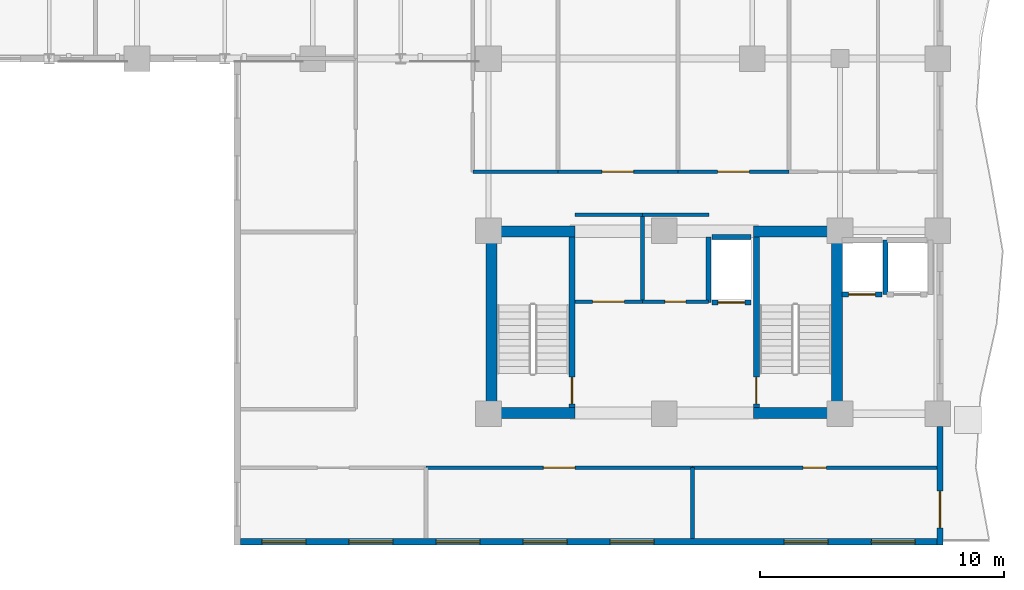
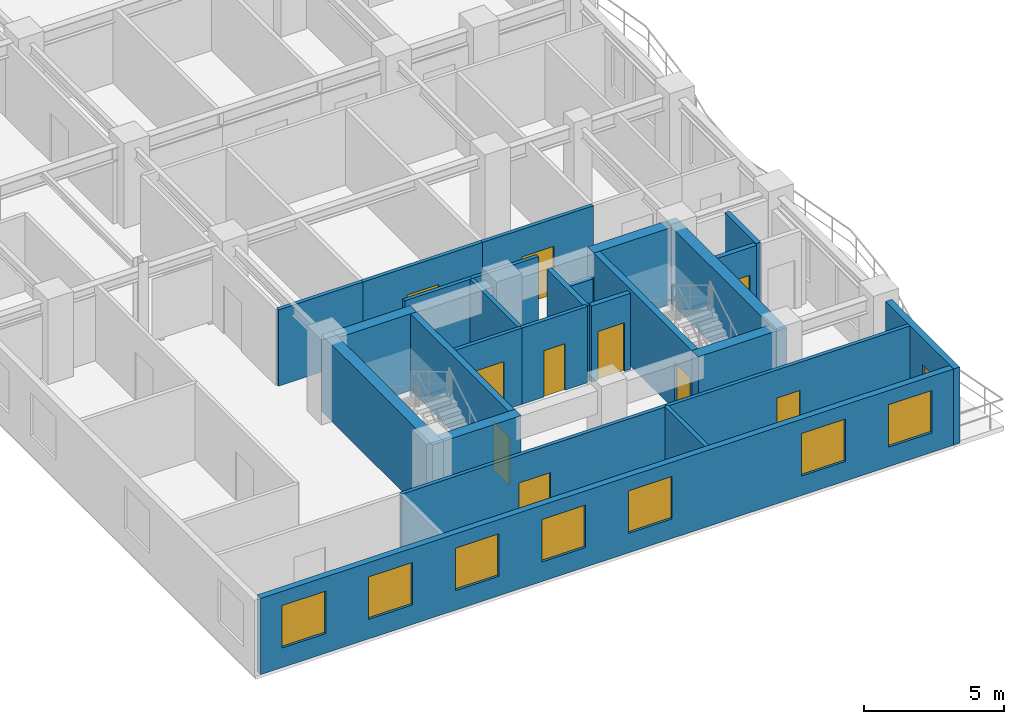
# One storey, part 6 of 13: 26 walls, 11 doors, 7 windows, 18 openings.
"""IFC4 building model written with IfcOpenShell, lengths in metres."""

from ifc_helpers import new_model, si_unit, direction, frame, frame_2d, origin, place, context, subcontext, project, spatial, rectangle, extrude, material, layer, layer_set, type_object, element, fill, save


model = new_model("IFC4")

# Units and contexts
model_context = context("Model", 3, precision=1e-05, world=origin(), true_north=direction((0.0, 1.0)))
body_context = subcontext(model_context, "Body", "Model", "MODEL_VIEW")
ifc_project = project(units=[si_unit("LENGTHUNIT", "METRE"), si_unit("AREAUNIT", "SQUARE_METRE"), si_unit("VOLUMEUNIT", "CUBIC_METRE"), si_unit("PLANEANGLEUNIT", "RADIAN"), si_unit("MASSUNIT", "GRAM", prefix="KILO")], contexts=[model_context])

# Site, building, storey
site_placement = place(None, origin())
site = spatial("IfcSite", under=ifc_project, at=site_placement, CompositionType="ELEMENT")
building_placement = place(site_placement, origin())
building = spatial("IfcBuilding", under=site, at=building_placement, Name="Kaliganga Portal Commons", CompositionType="ELEMENT")
storey_placement = place(building_placement, frame((0.0, 0.0, 188.300048828125)))
storey = spatial("IfcBuildingStorey", under=building, at=storey_placement, Name="L48", CompositionType="ELEMENT", Elevation=188.300048828125)

# Walls
ifc_material_1 = material(Name="Concrete C60/75", Category="concrete")
ifc_layer_1 = layer(ifc_material_1, 0.449951171875)
ifc_layer_set_1 = layer_set([ifc_layer_1], Name="Concrete C60/75")
wall_type_1 = type_object("IfcWallType", Name="WL-CORE-450", PredefinedType="SHEAR", material=ifc_layer_set_1)
for number, where, z_axis, x_axis, name in (
    (1, (36.125, 6.85009765625, 0.0), (0.0, 0.0, 1.0), (0.0, 1.0, 0.0), "Core B West Shear Wall L48"),
    (2, (50.27490234375, 6.85009765625, 0.0), (0.0, 0.0, 1.0), (0.0, 1.0, 0.0), "Core B East Shear Wall L48"),
):
    element("IfcWall", number, at=place(storey_placement, frame(where, z_axis=z_axis, x_axis=x_axis)), inside=storey, type_object=wall_type_1, Name=name, PredefinedType="SHEAR", context=body_context, shape_type="SweptSolid", body=[
        extrude(rectangle(XDim=7.89990234375, YDim=0.449951171875, at=frame_2d((3.949951171875, 0.0))), origin(), (0.0, 0.0, 1.0), 3.33984375),
    ])
for number, where, z_axis, x_axis, name in (
    (3, (36.35009765625, 7.074951171875, 0.0), (0.0, 0.0, 1.0), (1.0, 0.0, 0.0), "Core B S-West Shear Wall L48"),
    (4, (46.85009765625, 7.074951171875, 0.0), (0.0, 0.0, 1.0), (1.0, 0.0, 0.0), "Core B S-East Shear Wall L48"),
    (5, (36.35009765625, 14.52490234375, 0.0), (0.0, 0.0, 1.0), (1.0, 0.0, 0.0), "Core B N-West Shear Wall L48"),
    (6, (46.85009765625, 14.52490234375, 0.0), (0.0, 0.0, 1.0), (1.0, 0.0, 0.0), "Core B N-East Shear Wall L48"),
):
    element("IfcWall", number, at=place(storey_placement, frame(where, z_axis=z_axis, x_axis=x_axis)), inside=storey, type_object=wall_type_1, Name=name, PredefinedType="SHEAR", context=body_context, shape_type="SweptSolid", body=[
        extrude(rectangle(XDim=3.199951171875, YDim=0.449951171875, at=frame_2d((1.60009765625, 0.0))), origin(), (0.0, 0.0, 1.0), 3.33984375),
    ])

# Wall, openings, windows
ifc_material_2 = material(Name="Insulated Aluminium-Clad Spandrel Assembly", Category="aluminium")
ifc_layer_2 = layer(ifc_material_2, 0.260009765625)
ifc_layer_set_2 = layer_set([ifc_layer_2], Name="Insulated Aluminium-Clad Spandrel Assembly")
wall_type_2 = type_object("IfcWallType", Name="WL-EXT-SPAND-260", PredefinedType="STANDARD", material=ifc_layer_set_2)
wall_1_placement = place(storey_placement, frame((54.364990234375, 1.800048828125, 0.0), z_axis=(0.0, 0.0, 1.0), x_axis=(-1.0, 0.0, 0.0)))
wall_1 = element("IfcWall", 7, at=wall_1_placement, inside=storey, type_object=wall_type_2, Name="Exterior Envelope Wall L48 P1-E00-S1", PredefinedType="STANDARD", context=body_context, shape_type="SweptSolid", body=[
    extrude(rectangle(XDim=28.530029296875, YDim=0.260009765625, at=frame_2d((14.26513671875, 0.0))), origin(), (0.0, 0.0, 1.0), 3.320068359375),
])
opening_1_placement = place(wall_1_placement, frame((0.883056640625, 0.0, 0.85009765625)))
opening_1 = element("IfcOpeningElement", 8, at=opening_1_placement, cuts=wall_1, Name="Opening W-01", PredefinedType="OPENING", context=body_context, shape_type="SweptSolid", body=[
    extrude(rectangle(XDim=1.800048828125, YDim=1.85009765625, at=frame_2d((0.89990234375, 0.925048828125))), frame((0.0, 0.14013671875, 0.0), z_axis=(0.0, -1.0, 0.0), x_axis=(1.0, 0.0, 0.0)), (0.0, 0.0, 1.0), 0.280029296875),
])
opening_2_placement = place(wall_1_placement, frame((4.449462890625, 0.0, 0.85009765625)))
opening_2 = element("IfcOpeningElement", 9, at=opening_2_placement, cuts=wall_1, Name="Opening W-01", PredefinedType="OPENING", context=body_context, shape_type="SweptSolid", body=[
    extrude(rectangle(XDim=1.800048828125, YDim=1.85009765625, at=frame_2d((0.89990234375, 0.925048828125))), frame((0.0, 0.14013671875, 0.0), z_axis=(0.0, -1.0, 0.0), x_axis=(1.0, 0.0, 0.0)), (0.0, 0.0, 1.0), 0.280029296875),
])
opening_3_placement = place(wall_1_placement, frame((11.581787109375, 0.0, 0.85009765625)))
opening_3 = element("IfcOpeningElement", 10, at=opening_3_placement, cuts=wall_1, Name="Opening W-01", PredefinedType="OPENING", context=body_context, shape_type="SweptSolid", body=[
    extrude(rectangle(XDim=1.800048828125, YDim=1.85009765625, at=frame_2d((0.89990234375, 0.925048828125))), frame((0.0, 0.14013671875, 0.0), z_axis=(0.0, -1.0, 0.0), x_axis=(1.0, 0.0, 0.0)), (0.0, 0.0, 1.0), 0.280029296875),
])
opening_4_placement = place(wall_1_placement, frame((15.148193359375, 0.0, 0.85009765625)))
opening_4 = element("IfcOpeningElement", 11, at=opening_4_placement, cuts=wall_1, Name="Opening W-01", PredefinedType="OPENING", context=body_context, shape_type="SweptSolid", body=[
    extrude(rectangle(XDim=1.800048828125, YDim=1.85009765625, at=frame_2d((0.89990234375, 0.925048828125))), frame((0.0, 0.14013671875, 0.0), z_axis=(0.0, -1.0, 0.0), x_axis=(1.0, 0.0, 0.0)), (0.0, 0.0, 1.0), 0.280029296875),
])
opening_5_placement = place(wall_1_placement, frame((18.71435546875, 0.0, 0.85009765625)))
opening_5 = element("IfcOpeningElement", 12, at=opening_5_placement, cuts=wall_1, Name="Opening W-01", PredefinedType="OPENING", context=body_context, shape_type="SweptSolid", body=[
    extrude(rectangle(XDim=1.800048828125, YDim=1.85009765625, at=frame_2d((0.89990234375, 0.925048828125))), frame((0.0, 0.14013671875, 0.0), z_axis=(0.0, -1.0, 0.0), x_axis=(1.0, 0.0, 0.0)), (0.0, 0.0, 1.0), 0.280029296875),
])
opening_6_placement = place(wall_1_placement, frame((22.280517578125, 0.0, 0.85009765625)))
opening_6 = element("IfcOpeningElement", 13, at=opening_6_placement, cuts=wall_1, Name="Opening W-01", PredefinedType="OPENING", context=body_context, shape_type="SweptSolid", body=[
    extrude(rectangle(XDim=1.800048828125, YDim=1.85009765625, at=frame_2d((0.89990234375, 0.925048828125))), frame((0.0, 0.14013671875, 0.0), z_axis=(0.0, -1.0, 0.0), x_axis=(1.0, 0.0, 0.0)), (0.0, 0.0, 1.0), 0.280029296875),
])
opening_7_placement = place(wall_1_placement, frame((25.846923828125, 0.0, 0.85009765625)))
opening_7 = element("IfcOpeningElement", 14, at=opening_7_placement, cuts=wall_1, Name="Opening W-01", PredefinedType="OPENING", context=body_context, shape_type="SweptSolid", body=[
    extrude(rectangle(XDim=1.800048828125, YDim=1.85009765625, at=frame_2d((0.89990234375, 0.925048828125))), frame((0.0, 0.14013671875, 0.0), z_axis=(0.0, -1.0, 0.0), x_axis=(1.0, 0.0, 0.0)), (0.0, 0.0, 1.0), 0.280029296875),
])
ifc_material_3 = material(Name="Thermally Broken Aluminium and Low-E Double Glazing", Category="aluminium")
window_type = type_object("IfcWindowType", Name="WIN-STD-1800", PartitioningType="DOUBLE_PANEL_VERTICAL", PredefinedType="WINDOW", material=ifc_material_3)
window_1_placement = place(opening_1_placement, origin())
window_1 = element("IfcWindow", 15, at=window_1_placement, inside=storey, type_object=window_type, Name="Facade Window L48-P1E00S1-00", OverallHeight=1.85009765625, OverallWidth=1.800048828125, PartitioningType="SINGLE_PANEL", PredefinedType="WINDOW", context=body_context, shape_type="SweptSolid", body=[
    extrude(rectangle(XDim=1.800048828125, YDim=1.85009765625, at=frame_2d((0.89990234375, 0.925048828125))), frame((0.0, 0.030029296875, 0.0), z_axis=(0.0, -1.0, 0.0), x_axis=(1.0, 0.0, 0.0)), (0.0, 0.0, 1.0), 0.06005859375),
])
fill(opening_1, window_1)
window_2_placement = place(opening_2_placement, origin())
window_2 = element("IfcWindow", 16, at=window_2_placement, inside=storey, type_object=window_type, Name="Facade Window L48-P1E00S1-01", OverallHeight=1.85009765625, OverallWidth=1.800048828125, PartitioningType="SINGLE_PANEL", PredefinedType="WINDOW", context=body_context, shape_type="SweptSolid", body=[
    extrude(rectangle(XDim=1.800048828125, YDim=1.85009765625, at=frame_2d((0.89990234375, 0.925048828125))), frame((0.0, 0.030029296875, 0.0), z_axis=(0.0, -1.0, 0.0), x_axis=(1.0, 0.0, 0.0)), (0.0, 0.0, 1.0), 0.06005859375),
])
fill(opening_2, window_2)
window_3_placement = place(opening_3_placement, origin())
window_3 = element("IfcWindow", 17, at=window_3_placement, inside=storey, type_object=window_type, Name="Facade Window L48-P1E00S1-03", OverallHeight=1.85009765625, OverallWidth=1.800048828125, PartitioningType="SINGLE_PANEL", PredefinedType="WINDOW", context=body_context, shape_type="SweptSolid", body=[
    extrude(rectangle(XDim=1.800048828125, YDim=1.85009765625, at=frame_2d((0.89990234375, 0.925048828125))), frame((0.0, 0.030029296875, 0.0), z_axis=(0.0, -1.0, 0.0), x_axis=(1.0, 0.0, 0.0)), (0.0, 0.0, 1.0), 0.06005859375),
])
fill(opening_3, window_3)
window_4_placement = place(opening_4_placement, origin())
window_4 = element("IfcWindow", 18, at=window_4_placement, inside=storey, type_object=window_type, Name="Facade Window L48-P1E00S1-04", OverallHeight=1.85009765625, OverallWidth=1.800048828125, PartitioningType="SINGLE_PANEL", PredefinedType="WINDOW", context=body_context, shape_type="SweptSolid", body=[
    extrude(rectangle(XDim=1.800048828125, YDim=1.85009765625, at=frame_2d((0.89990234375, 0.925048828125))), frame((0.0, 0.030029296875, 0.0), z_axis=(0.0, -1.0, 0.0), x_axis=(1.0, 0.0, 0.0)), (0.0, 0.0, 1.0), 0.06005859375),
])
fill(opening_4, window_4)
window_5_placement = place(opening_5_placement, origin())
window_5 = element("IfcWindow", 19, at=window_5_placement, inside=storey, type_object=window_type, Name="Facade Window L48-P1E00S1-05", OverallHeight=1.85009765625, OverallWidth=1.800048828125, PartitioningType="SINGLE_PANEL", PredefinedType="WINDOW", context=body_context, shape_type="SweptSolid", body=[
    extrude(rectangle(XDim=1.800048828125, YDim=1.85009765625, at=frame_2d((0.89990234375, 0.925048828125))), frame((0.0, 0.030029296875, 0.0), z_axis=(0.0, -1.0, 0.0), x_axis=(1.0, 0.0, 0.0)), (0.0, 0.0, 1.0), 0.06005859375),
])
fill(opening_5, window_5)
window_6_placement = place(opening_6_placement, origin())
window_6 = element("IfcWindow", 20, at=window_6_placement, inside=storey, type_object=window_type, Name="Facade Window L48-P1E00S1-06", OverallHeight=1.85009765625, OverallWidth=1.800048828125, PartitioningType="SINGLE_PANEL", PredefinedType="WINDOW", context=body_context, shape_type="SweptSolid", body=[
    extrude(rectangle(XDim=1.800048828125, YDim=1.85009765625, at=frame_2d((0.89990234375, 0.925048828125))), frame((0.0, 0.030029296875, 0.0), z_axis=(0.0, -1.0, 0.0), x_axis=(1.0, 0.0, 0.0)), (0.0, 0.0, 1.0), 0.06005859375),
])
fill(opening_6, window_6)
window_7_placement = place(opening_7_placement, origin())
window_7 = element("IfcWindow", 21, at=window_7_placement, inside=storey, type_object=window_type, Name="Facade Window L48-P1E00S1-07", OverallHeight=1.85009765625, OverallWidth=1.800048828125, PartitioningType="SINGLE_PANEL", PredefinedType="WINDOW", context=body_context, shape_type="SweptSolid", body=[
    extrude(rectangle(XDim=1.800048828125, YDim=1.85009765625, at=frame_2d((0.89990234375, 0.925048828125))), frame((0.0, 0.030029296875, 0.0), z_axis=(0.0, -1.0, 0.0), x_axis=(1.0, 0.0, 0.0)), (0.0, 0.0, 1.0), 0.06005859375),
])
fill(opening_7, window_7)

# Wall, opening, door
wall_2_placement = place(storey_placement, frame((54.5, 6.52392578125, 0.0), z_axis=(0.0, 0.0, 1.0), x_axis=(0.0, -1.0, 0.0)))
wall_2 = element("IfcWall", 22, at=wall_2_placement, inside=storey, type_object=wall_type_2, Name="Exterior Envelope Wall L48 P1-E01-S1", PredefinedType="STANDARD", context=body_context, shape_type="SweptSolid", body=[
    extrude(rectangle(XDim=4.85400390625, YDim=0.260009765625, at=frame_2d((2.427001953125, 0.0))), origin(), (0.0, 0.0, 1.0), 3.320068359375),
])
opening_8_placement = place(wall_2_placement, frame((2.64794921875, 0.0, 0.0)))
opening_8 = element("IfcOpeningElement", 23, at=opening_8_placement, cuts=wall_2, Name="Opening BD-01", PredefinedType="OPENING", context=body_context, shape_type="SweptSolid", body=[
    extrude(rectangle(XDim=1.5, YDim=2.14990234375, at=frame_2d((0.75, 1.074951171875))), frame((0.0, 0.14013671875, 0.0), z_axis=(0.0, -1.0, 0.0), x_axis=(1.0, 0.0, 0.0)), (0.0, 0.0, 1.0), 0.280029296875),
])
ifc_material_4 = material(Name="Anodized Aluminium and Laminated Safety Glass", Category="aluminium")
door_type_1 = type_object("IfcDoorType", Name="DR-BALC-1500", OperationType="SLIDING_TO_LEFT", PredefinedType="DOOR", material=ifc_material_4)
door_1_placement = place(opening_8_placement, origin())
door_1 = element("IfcDoor", 24, at=door_1_placement, inside=storey, type_object=door_type_1, Name="Balcony Sliding Door L48 balc_east", OperationType="SLIDING_TO_LEFT", OverallHeight=2.14990234375, OverallWidth=1.5, PredefinedType="DOOR", context=body_context, shape_type="SweptSolid", body=[
    extrude(rectangle(XDim=1.5, YDim=2.14990234375, at=frame_2d((0.75, 1.074951171875))), frame((0.0, 0.02490234375, 0.0), z_axis=(0.0, -1.0, 0.0), x_axis=(1.0, 0.0, 0.0)), (0.0, 0.0, 1.0), 0.050048828125),
])
fill(opening_8, door_1)

ifc_material_5 = material(Name="Fire-Rated Gypsum Board on Steel Stud", Category="steel")
ifc_layer_3 = layer(ifc_material_5, 0.14990234375)
ifc_layer_set_3 = layer_set([ifc_layer_3], Name="Fire-Rated Gypsum Board on Steel Stud")
wall_type_3 = type_object("IfcWallType", Name="WL-PART-CORR-150", PredefinedType="PARTITIONING", material=ifc_layer_set_3)
wall_3_placement = place(storey_placement, frame((33.43994140625, 4.840087890625, 0.0), z_axis=(0.0, 0.0, 1.0), x_axis=(1.0, 0.0, 0.0)))
wall_3 = element("IfcWall", 25, at=wall_3_placement, inside=storey, type_object=wall_type_3, Name="Interior Partition L48-009", PredefinedType="PARTITIONING", context=body_context, shape_type="SweptSolid", body=[
    extrude(rectangle(XDim=10.920166015625, YDim=0.14990234375, at=frame_2d((5.4599609375, 0.0))), origin(), (0.0, 0.0, 1.0), 3.320068359375),
])
opening_9_placement = place(wall_3_placement, frame((4.81005859375, 0.0, 0.0)))
opening_9 = element("IfcOpeningElement", 26, at=opening_9_placement, cuts=wall_3, Name="Opening RD-03", PredefinedType="OPENING", context=body_context, shape_type="SweptSolid", body=[
    extrude(rectangle(XDim=1.300048828125, YDim=2.1201171875, at=frame_2d((0.64990234375, 1.06005859375))), frame((0.0, 0.0849609375, 0.0), z_axis=(0.0, -1.0, 0.0), x_axis=(1.0, 0.0, 0.0)), (0.0, 0.0, 1.0), 0.169921875),
])
ifc_material_6 = material(Name="Glazed Timber Seminar Vision Door", Category="wood")
door_type_2 = type_object("IfcDoorType", Name="DR-STUDY-1300", OperationType="DOUBLE_DOOR_SINGLE_SWING", PredefinedType="DOOR", material=ifc_material_6)
door_2_placement = place(opening_9_placement, origin())
door_2 = element("IfcDoor", 27, at=door_2_placement, inside=storey, type_object=door_type_2, Name="Interior Door L48-BS02", OperationType="DOUBLE_DOOR_SINGLE_SWING", OverallHeight=2.1201171875, OverallWidth=1.300048828125, PredefinedType="DOOR", context=body_context, shape_type="SweptSolid", body=[
    extrude(rectangle(XDim=1.300048828125, YDim=2.1201171875, at=frame_2d((0.64990234375, 1.06005859375))), frame((0.0, 0.02490234375, 0.0), z_axis=(0.0, -1.0, 0.0), x_axis=(1.0, 0.0, 0.0)), (0.0, 0.0, 1.0), 0.050048828125),
])
fill(opening_9, door_2)

wall_4_placement = place(storey_placement, frame((44.360107421875, 4.840087890625, 0.0), z_axis=(0.0, 0.0, 1.0), x_axis=(1.0, 0.0, 0.0)))
wall_4 = element("IfcWall", 28, at=wall_4_placement, inside=storey, type_object=wall_type_3, Name="Interior Partition L48-011", PredefinedType="PARTITIONING", context=body_context, shape_type="SweptSolid", body=[
    extrude(rectangle(XDim=10.0078125, YDim=0.14990234375, at=frame_2d((5.00390625, 0.0))), origin(), (0.0, 0.0, 1.0), 3.320068359375),
])
opening_10_placement = place(wall_4_placement, frame((4.529052734375, 0.0, 0.0)))
opening_10 = element("IfcOpeningElement", 29, at=opening_10_placement, cuts=wall_4, Name="Opening UD-01", PredefinedType="OPENING", context=body_context, shape_type="SweptSolid", body=[
    extrude(rectangle(XDim=0.949951171875, YDim=2.10009765625, at=frame_2d((0.47509765625, 1.050048828125))), frame((0.0, 0.0849609375, 0.0), z_axis=(0.0, -1.0, 0.0), x_axis=(1.0, 0.0, 0.0)), (0.0, 0.0, 1.0), 0.169921875),
])
ifc_material_7 = material(Name="Solid-Core Timber Acoustic Fire Door", Category="wood")
door_type_3 = type_object("IfcDoorType", Name="DR-UNIT-950", OperationType="NOTDEFINED", PredefinedType="DOOR", material=ifc_material_7)
door_3_placement = place(opening_10_placement, origin())
door_3 = element("IfcDoor", 30, at=door_3_placement, inside=storey, type_object=door_type_3, Name="Interior Door L48-BS03", OperationType="SINGLE_SWING_LEFT", OverallHeight=2.10009765625, OverallWidth=0.949951171875, PredefinedType="DOOR", context=body_context, shape_type="SweptSolid", body=[
    extrude(rectangle(XDim=0.949951171875, YDim=2.10009765625, at=frame_2d((0.47509765625, 1.050048828125))), frame((0.0, 0.02490234375, 0.0), z_axis=(0.0, -1.0, 0.0), x_axis=(1.0, 0.0, 0.0)), (0.0, 0.0, 1.0), 0.050048828125),
])
fill(opening_10, door_3)

wall_5_placement = place(storey_placement, frame((38.840087890625, 16.9599609375, 0.0), z_axis=(0.0, 0.0, 1.0), x_axis=(1.0, 0.0, 0.0)))
wall_5 = element("IfcWall", 31, at=wall_5_placement, inside=storey, type_object=wall_type_3, Name="Interior Partition L48-030", PredefinedType="PARTITIONING", context=body_context, shape_type="SweptSolid", body=[
    extrude(rectangle(XDim=4.919921875, YDim=0.14990234375, at=frame_2d((2.4599609375, 0.0))), origin(), (0.0, 0.0, 1.0), 3.320068359375),
])
opening_11_placement = place(wall_5_placement, frame((1.81005859375, 0.0, 0.0)))
opening_11 = element("IfcOpeningElement", 32, at=opening_11_placement, cuts=wall_5, Name="Opening RD-03", PredefinedType="OPENING", context=body_context, shape_type="SweptSolid", body=[
    extrude(rectangle(XDim=1.300048828125, YDim=2.1201171875, at=frame_2d((0.64990234375, 1.06005859375))), frame((0.0, 0.0849609375, 0.0), z_axis=(0.0, -1.0, 0.0), x_axis=(1.0, 0.0, 0.0)), (0.0, 0.0, 1.0), 0.169921875),
])
door_4_placement = place(opening_11_placement, origin())
door_4 = element("IfcDoor", 33, at=door_4_placement, inside=storey, type_object=door_type_2, Name="Interior Door L48-BM02", OperationType="DOUBLE_DOOR_SINGLE_SWING", OverallHeight=2.1201171875, OverallWidth=1.300048828125, PredefinedType="DOOR", context=body_context, shape_type="SweptSolid", body=[
    extrude(rectangle(XDim=1.300048828125, YDim=2.1201171875, at=frame_2d((0.64990234375, 1.06005859375))), frame((0.0, 0.02490234375, 0.0), z_axis=(0.0, -1.0, 0.0), x_axis=(1.0, 0.0, 0.0)), (0.0, 0.0, 1.0), 0.050048828125),
])
fill(opening_11, door_4)

wall_6_placement = place(storey_placement, frame((43.760009765625, 16.9599609375, 0.0), z_axis=(0.0, 0.0, 1.0), x_axis=(1.0, 0.0, 0.0)))
wall_6 = element("IfcWall", 34, at=wall_6_placement, inside=storey, type_object=wall_type_3, Name="Interior Partition L48-036", PredefinedType="PARTITIONING", context=body_context, shape_type="SweptSolid", body=[
    extrude(rectangle(XDim=4.56005859375, YDim=0.14990234375, at=frame_2d((2.280029296875, 0.0))), origin(), (0.0, 0.0, 1.0), 3.320068359375),
])
opening_12_placement = place(wall_6_placement, frame((1.6298828125, 0.0, 0.0)))
opening_12 = element("IfcOpeningElement", 35, at=opening_12_placement, cuts=wall_6, Name="Opening RD-03", PredefinedType="OPENING", context=body_context, shape_type="SweptSolid", body=[
    extrude(rectangle(XDim=1.300048828125, YDim=2.1201171875, at=frame_2d((0.64990234375, 1.06005859375))), frame((0.0, 0.0849609375, 0.0), z_axis=(0.0, -1.0, 0.0), x_axis=(1.0, 0.0, 0.0)), (0.0, 0.0, 1.0), 0.169921875),
])
door_5_placement = place(opening_12_placement, origin())
door_5 = element("IfcDoor", 36, at=door_5_placement, inside=storey, type_object=door_type_2, Name="Interior Door L48-BM03", OperationType="DOUBLE_DOOR_SINGLE_SWING", OverallHeight=2.1201171875, OverallWidth=1.300048828125, PredefinedType="DOOR", context=body_context, shape_type="SweptSolid", body=[
    extrude(rectangle(XDim=1.300048828125, YDim=2.1201171875, at=frame_2d((0.64990234375, 1.06005859375))), frame((0.0, 0.02490234375, 0.0), z_axis=(0.0, -1.0, 0.0), x_axis=(1.0, 0.0, 0.0)), (0.0, 0.0, 1.0), 0.050048828125),
])
fill(opening_12, door_5)

# Wall
wall_7_placement = place(storey_placement, frame((35.360107421875, 16.9599609375, 0.0), z_axis=(0.0, 0.0, 1.0), x_axis=(1.0, 0.0, 0.0)))
element("IfcWall", 37, at=wall_7_placement, inside=storey, type_object=wall_type_3, Name="Interior Partition L48-046", PredefinedType="PARTITIONING", context=body_context, shape_type="SweptSolid", body=[
    extrude(rectangle(XDim=3.47998046875, YDim=0.14990234375, at=frame_2d((1.739990234375, 0.0))), origin(), (0.0, 0.0, 1.0), 3.320068359375),
])

# Wall, opening, door
wall_8_placement = place(storey_placement, frame((39.5400390625, 11.639892578125, 0.0), z_axis=(0.0, 0.0, 1.0), x_axis=(1.0, 0.0, 0.0)))
wall_8 = element("IfcWall", 38, at=wall_8_placement, inside=storey, type_object=wall_type_3, Name="Interior Partition L48-051", PredefinedType="PARTITIONING", context=body_context, shape_type="SweptSolid", body=[
    extrude(rectangle(XDim=2.760009765625, YDim=0.14990234375, at=frame_2d((1.3798828125, 0.0))), origin(), (0.0, 0.0, 1.0), 3.320068359375),
])
opening_13_placement = place(wall_8_placement, frame((0.72998046875, 0.0, 0.0)))
opening_13 = element("IfcOpeningElement", 39, at=opening_13_placement, cuts=wall_8, Name="Opening RD-03", PredefinedType="OPENING", context=body_context, shape_type="SweptSolid", body=[
    extrude(rectangle(XDim=1.300048828125, YDim=2.1201171875, at=frame_2d((0.64990234375, 1.06005859375))), frame((0.0, 0.0849609375, 0.0), z_axis=(0.0, -1.0, 0.0), x_axis=(1.0, 0.0, 0.0)), (0.0, 0.0, 1.0), 0.169921875),
])
door_6_placement = place(opening_13_placement, origin())
door_6 = element("IfcDoor", 40, at=door_6_placement, inside=storey, type_object=door_type_2, Name="Interior Door L48-CREC_B1", OperationType="DOUBLE_DOOR_SINGLE_SWING", OverallHeight=2.1201171875, OverallWidth=1.300048828125, PredefinedType="DOOR", context=body_context, shape_type="SweptSolid", body=[
    extrude(rectangle(XDim=1.300048828125, YDim=2.1201171875, at=frame_2d((0.64990234375, 1.06005859375))), frame((0.0, 0.02490234375, 0.0), z_axis=(0.0, -1.0, 0.0), x_axis=(1.0, 0.0, 0.0)), (0.0, 0.0, 1.0), 0.050048828125),
])
fill(opening_13, door_6)

# Wall
wall_9_placement = place(storey_placement, frame((39.5400390625, 15.199951171875, 0.0), z_axis=(0.0, 0.0, 1.0), x_axis=(1.0, 0.0, 0.0)))
element("IfcWall", 41, at=wall_9_placement, inside=storey, type_object=wall_type_3, Name="Interior Partition L48-052", PredefinedType="PARTITIONING", context=body_context, shape_type="SweptSolid", body=[
    extrude(rectangle(XDim=2.760009765625, YDim=0.14990234375, at=frame_2d((1.3798828125, 0.0))), origin(), (0.0, 0.0, 1.0), 3.320068359375),
])

# Wall, opening, door
wall_10_placement = place(storey_placement, frame((42.300048828125, 11.639892578125, 0.0), z_axis=(0.0, 0.0, 1.0), x_axis=(1.0, 0.0, 0.0)))
wall_10 = element("IfcWall", 42, at=wall_10_placement, inside=storey, type_object=wall_type_3, Name="Interior Partition L48-053", PredefinedType="PARTITIONING", context=body_context, shape_type="SweptSolid", body=[
    extrude(rectangle(XDim=2.7099609375, YDim=0.14990234375, at=frame_2d((1.35498046875, 0.0))), origin(), (0.0, 0.0, 1.0), 3.320068359375),
])
opening_14_placement = place(wall_10_placement, frame((0.925048828125, 0.0, 0.0)))
opening_14 = element("IfcOpeningElement", 43, at=opening_14_placement, cuts=wall_10, Name="Opening WD-02", PredefinedType="OPENING", context=body_context, shape_type="SweptSolid", body=[
    extrude(rectangle(XDim=0.860107421875, YDim=2.02001953125, at=frame_2d((0.43017578125, 1.010009765625))), frame((0.0, 0.0849609375, 0.0), z_axis=(0.0, -1.0, 0.0), x_axis=(1.0, 0.0, 0.0)), (0.0, 0.0, 1.0), 0.169921875),
])
ifc_material_8 = material(Name="Fire-Rated Utility Closet Door", Category="wood")
door_type_4 = type_object("IfcDoorType", Name="DR-STORE-800", OperationType="NOTDEFINED", PredefinedType="DOOR", material=ifc_material_8)
door_7_placement = place(opening_14_placement, origin())
door_7 = element("IfcDoor", 44, at=door_7_placement, inside=storey, type_object=door_type_4, Name="Interior Door L48-CREC_B2", OperationType="SINGLE_SWING_RIGHT", OverallHeight=2.02001953125, OverallWidth=0.860107421875, PredefinedType="DOOR", context=body_context, shape_type="SweptSolid", body=[
    extrude(rectangle(XDim=0.860107421875, YDim=2.02001953125, at=frame_2d((0.43017578125, 1.010009765625))), frame((0.0, 0.02490234375, 0.0), z_axis=(0.0, -1.0, 0.0), x_axis=(1.0, 0.0, 0.0)), (0.0, 0.0, 1.0), 0.050048828125),
])
fill(opening_14, door_7)

# Walls
wall_11_placement = place(storey_placement, frame((42.300048828125, 15.199951171875, 0.0), z_axis=(0.0, 0.0, 1.0), x_axis=(1.0, 0.0, 0.0)))
element("IfcWall", 45, at=wall_11_placement, inside=storey, type_object=wall_type_3, Name="Interior Partition L48-054", PredefinedType="PARTITIONING", context=body_context, shape_type="SweptSolid", body=[
    extrude(rectangle(XDim=2.739990234375, YDim=0.14990234375, at=frame_2d((1.3701171875, 0.0))), origin(), (0.0, 0.0, 1.0), 3.320068359375),
])
ifc_material_9 = material(Name="Twin-Stud Acoustic Gypsum Partition", Category="gypsum")
ifc_layer_4 = layer(ifc_material_9, 0.1650390625)
ifc_layer_set_4 = layer_set([ifc_layer_4], Name="Twin-Stud Acoustic Gypsum Partition")
wall_type_4 = type_object("IfcWallType", Name="WL-PART-UNIT-165", PredefinedType="PARTITIONING", material=ifc_layer_set_4)
wall_12_placement = place(storey_placement, frame((42.300048828125, 11.639892578125, 0.0), z_axis=(0.0, 0.0, 1.0), x_axis=(0.0, 1.0, 0.0)))
element("IfcWall", 46, at=wall_12_placement, inside=storey, type_object=wall_type_4, Name="Interior Partition L48-088", PredefinedType="PARTITIONING", context=body_context, shape_type="SweptSolid", body=[
    extrude(rectangle(XDim=3.56005859375, YDim=0.1650390625, at=frame_2d((1.780029296875, 0.0))), origin(), (0.0, 0.0, 1.0), 3.320068359375),
])
wall_13_placement = place(storey_placement, frame((44.360107421875, 1.931884765625, 0.0), z_axis=(0.0, 0.0, 1.0), x_axis=(0.0, 1.0, 0.0)))
element("IfcWall", 47, at=wall_13_placement, inside=storey, type_object=wall_type_4, Name="Interior Partition L48-093", PredefinedType="PARTITIONING", context=body_context, shape_type="SweptSolid", body=[
    extrude(rectangle(XDim=2.908203125, YDim=0.1650390625, at=frame_2d((1.4541015625, 0.0))), origin(), (0.0, 0.0, 1.0), 3.320068359375),
])

# Wall, opening, door
ifc_material_10 = material(Name="Fire-Rated Shaftwall Masonry Assembly", Category="masonry")
ifc_layer_5 = layer(ifc_material_10, 0.199951171875)
ifc_layer_set_5 = layer_set([ifc_layer_5], Name="Fire-Rated Shaftwall Masonry Assembly")
wall_type_5 = type_object("IfcWallType", Name="WL-SHAFT-200", PredefinedType="PARTITIONING", material=ifc_layer_set_5)
wall_14_placement = place(storey_placement, frame((50.47509765625, 11.93505859375, 0.0), z_axis=(0.0, 0.0, 1.0), x_axis=(1.0, 0.0, 0.0)))
wall_14 = element("IfcWall", 48, at=wall_14_placement, inside=storey, type_object=wall_type_5, Name="Lift PL-B3 Hoistway Shaft Wall L48-S", PredefinedType="PARTITIONING", context=body_context, shape_type="SweptSolid", body=[
    extrude(rectangle(XDim=1.64990234375, YDim=0.199951171875, at=frame_2d((0.824951171875, 0.0))), origin(), (0.0, 0.0, 1.0), 3.320068359375),
])
opening_15_placement = place(wall_14_placement, frame((0.27490234375, 0.0, 0.0)))
opening_15 = element("IfcOpeningElement", 49, at=opening_15_placement, cuts=wall_14, Name="Opening LD-01", PredefinedType="OPENING", context=body_context, shape_type="SweptSolid", body=[
    extrude(rectangle(XDim=1.10009765625, YDim=2.1201171875, at=frame_2d((0.550048828125, 1.06005859375))), frame((0.0, 0.10986328125, 0.0), z_axis=(0.0, -1.0, 0.0), x_axis=(1.0, 0.0, 0.0)), (0.0, 0.0, 1.0), 0.219970703125),
])
ifc_material_11 = material(Name="Brushed Stainless Steel 316 Lift Landing Door", Category="steel")
door_type_5 = type_object("IfcDoorType", Name="DR-LIFT-1100", OperationType="SLIDING_TO_LEFT", PredefinedType="DOOR", material=ifc_material_11)
door_8_placement = place(opening_15_placement, origin())
door_8 = element("IfcDoor", 50, at=door_8_placement, inside=storey, type_object=door_type_5, Name="Lift PL-B3 Sliding Landing Door L48", OperationType="SLIDING_TO_LEFT", OverallHeight=2.1201171875, OverallWidth=1.10009765625, PredefinedType="DOOR", context=body_context, shape_type="SweptSolid", body=[
    extrude(rectangle(XDim=1.10009765625, YDim=2.1201171875, at=frame_2d((0.550048828125, 1.06005859375))), frame((0.0, 0.02490234375, 0.0), z_axis=(0.0, -1.0, 0.0), x_axis=(1.0, 0.0, 0.0)), (0.0, 0.0, 1.0), 0.050048828125),
])
fill(opening_15, door_8)

# Wall
wall_15_placement = place(storey_placement, frame((52.264892578125, 11.93505859375, 0.0), z_axis=(0.0, 0.0, 1.0), x_axis=(0.0, 1.0, 0.0)))
element("IfcWall", 51, at=wall_15_placement, inside=storey, type_object=wall_type_5, Name="Lift PL-B3 Hoistway Shaft Wall L48-E", PredefinedType="PARTITIONING", context=body_context, shape_type="SweptSolid", body=[
    extrude(rectangle(XDim=2.22998046875, YDim=0.199951171875, at=frame_2d((1.114990234375, 0.0))), origin(), (0.0, 0.0, 1.0), 3.320068359375),
])

# Wall, opening, door
wall_16_placement = place(storey_placement, frame((45.14990234375, 11.610107421875, 0.0), z_axis=(0.0, 0.0, 1.0), x_axis=(1.0, 0.0, 0.0)))
wall_16 = element("IfcWall", 52, at=wall_16_placement, inside=storey, type_object=wall_type_5, Name="Lift SL-B1 Hoistway Shaft Wall L48-S", PredefinedType="PARTITIONING", context=body_context, shape_type="SweptSolid", body=[
    extrude(rectangle(XDim=1.60009765625, YDim=0.199951171875, at=frame_2d((0.800048828125, 0.0))), origin(), (0.0, 0.0, 1.0), 3.320068359375),
])
opening_16_placement = place(wall_16_placement, frame((0.25, 0.0, 0.0)))
opening_16 = element("IfcOpeningElement", 53, at=opening_16_placement, cuts=wall_16, Name="Opening LD-01", PredefinedType="OPENING", context=body_context, shape_type="SweptSolid", body=[
    extrude(rectangle(XDim=1.10009765625, YDim=2.1201171875, at=frame_2d((0.550048828125, 1.06005859375))), frame((0.0, 0.10986328125, 0.0), z_axis=(0.0, -1.0, 0.0), x_axis=(1.0, 0.0, 0.0)), (0.0, 0.0, 1.0), 0.219970703125),
])
door_9_placement = place(opening_16_placement, origin())
door_9 = element("IfcDoor", 54, at=door_9_placement, inside=storey, type_object=door_type_5, Name="Lift SL-B1 Sliding Landing Door L48", OperationType="SLIDING_TO_LEFT", OverallHeight=2.1201171875, OverallWidth=1.10009765625, PredefinedType="DOOR", context=body_context, shape_type="SweptSolid", body=[
    extrude(rectangle(XDim=1.10009765625, YDim=2.1201171875, at=frame_2d((0.550048828125, 1.06005859375))), frame((0.0, 0.02490234375, 0.0), z_axis=(0.0, -1.0, 0.0), x_axis=(1.0, 0.0, 0.0)), (0.0, 0.0, 1.0), 0.050048828125),
])
fill(opening_16, door_9)

# Walls
wall_17_placement = place(storey_placement, frame((45.14990234375, 14.2900390625, 0.0), z_axis=(0.0, 0.0, 1.0), x_axis=(1.0, 0.0, 0.0)))
element("IfcWall", 55, at=wall_17_placement, inside=storey, type_object=wall_type_5, Name="Lift SL-B1 Hoistway Shaft Wall L48-N", PredefinedType="PARTITIONING", context=body_context, shape_type="SweptSolid", body=[
    extrude(rectangle(XDim=1.60009765625, YDim=0.199951171875, at=frame_2d((0.800048828125, 0.0))), origin(), (0.0, 0.0, 1.0), 2.320068359375),
])
wall_18_placement = place(storey_placement, frame((45.010009765625, 11.610107421875, 0.0), z_axis=(0.0, 0.0, 1.0), x_axis=(0.0, 1.0, 0.0)))
element("IfcWall", 56, at=wall_18_placement, inside=storey, type_object=wall_type_5, Name="Lift SL-B1 Hoistway Shaft Wall L48-W", PredefinedType="PARTITIONING", context=body_context, shape_type="SweptSolid", body=[
    extrude(rectangle(XDim=2.679931640625, YDim=0.199951171875, at=frame_2d((1.33984375, 0.0))), origin(), (0.0, 0.0, 1.0), 3.320068359375),
])

# Wall, opening, door
ifc_material_12 = material(Name="Concrete C50/60", Category="concrete")
ifc_layer_6 = layer(ifc_material_12, 0.25)
ifc_layer_set_6 = layer_set([ifc_layer_6], Name="Concrete C50/60")
wall_type_6 = type_object("IfcWallType", Name="WL-STAIR-250", PredefinedType="SHEAR", material=ifc_layer_set_6)
wall_19_placement = place(storey_placement, frame((39.425048828125, 7.300048828125, 0.0), z_axis=(0.0, 0.0, 1.0), x_axis=(0.0, 1.0, 0.0)))
wall_19 = element("IfcWall", 57, at=wall_19_placement, inside=storey, type_object=wall_type_6, Name="Stair B1 Enclosure Shear Wall L48", PredefinedType="SHEAR", context=body_context, shape_type="SweptSolid", body=[
    extrude(rectangle(XDim=7.0, YDim=0.25, at=frame_2d((3.5, 0.0))), origin(), (0.0, 0.0, 1.0), 3.33984375),
])
opening_17_placement = place(wall_19_placement, frame((0.14990234375, 0.0, 0.0)))
opening_17 = element("IfcOpeningElement", 58, at=opening_17_placement, cuts=wall_19, Name="Opening SD-01", PredefinedType="OPENING", context=body_context, shape_type="SweptSolid", body=[
    extrude(rectangle(XDim=1.10009765625, YDim=2.080078125, at=frame_2d((0.550048828125, 1.0400390625))), frame((0.0, 0.135009765625, 0.0), z_axis=(0.0, -1.0, 0.0), x_axis=(1.0, 0.0, 0.0)), (0.0, 0.0, 1.0), 0.27001953125),
])
ifc_material_13 = material(Name="Galvanized Steel Fire Door Leaf and Frame", Category="steel")
door_type_6 = type_object("IfcDoorType", Name="DR-STAIR-1100", OperationType="NOTDEFINED", PredefinedType="DOOR", material=ifc_material_13)
door_10_placement = place(opening_17_placement, origin())
door_10 = element("IfcDoor", 59, at=door_10_placement, inside=storey, type_object=door_type_6, Name="Protected Stair ST-B1 Fire Door L48", OperationType="SINGLE_SWING_RIGHT", OverallHeight=2.080078125, OverallWidth=1.10009765625, PredefinedType="DOOR", context=body_context, shape_type="SweptSolid", body=[
    extrude(rectangle(XDim=1.10009765625, YDim=2.080078125, at=frame_2d((0.550048828125, 1.0400390625))), frame((0.0, 0.02490234375, 0.0), z_axis=(0.0, -1.0, 0.0), x_axis=(1.0, 0.0, 0.0)), (0.0, 0.0, 1.0), 0.050048828125),
])
fill(opening_17, door_10)

wall_20_placement = place(storey_placement, frame((46.97509765625, 7.300048828125, 0.0), z_axis=(0.0, 0.0, 1.0), x_axis=(0.0, 1.0, 0.0)))
wall_20 = element("IfcWall", 60, at=wall_20_placement, inside=storey, type_object=wall_type_6, Name="Stair B2 Enclosure Shear Wall L48", PredefinedType="SHEAR", context=body_context, shape_type="SweptSolid", body=[
    extrude(rectangle(XDim=7.0, YDim=0.25, at=frame_2d((3.5, 0.0))), origin(), (0.0, 0.0, 1.0), 3.33984375),
])
opening_18_placement = place(wall_20_placement, frame((0.14990234375, 0.0, 0.0)))
opening_18 = element("IfcOpeningElement", 61, at=opening_18_placement, cuts=wall_20, Name="Opening SD-01", PredefinedType="OPENING", context=body_context, shape_type="SweptSolid", body=[
    extrude(rectangle(XDim=1.10009765625, YDim=2.080078125, at=frame_2d((0.550048828125, 1.0400390625))), frame((0.0, 0.135009765625, 0.0), z_axis=(0.0, -1.0, 0.0), x_axis=(1.0, 0.0, 0.0)), (0.0, 0.0, 1.0), 0.27001953125),
])
door_11_placement = place(opening_18_placement, origin())
door_11 = element("IfcDoor", 62, at=door_11_placement, inside=storey, type_object=door_type_6, Name="Protected Stair ST-B2 Fire Door L48", OperationType="SINGLE_SWING_LEFT", OverallHeight=2.080078125, OverallWidth=1.10009765625, PredefinedType="DOOR", context=body_context, shape_type="SweptSolid", body=[
    extrude(rectangle(XDim=1.10009765625, YDim=2.080078125, at=frame_2d((0.550048828125, 1.0400390625))), frame((0.0, 0.02490234375, 0.0), z_axis=(0.0, -1.0, 0.0), x_axis=(1.0, 0.0, 0.0)), (0.0, 0.0, 1.0), 0.050048828125),
])
fill(opening_18, door_11)

save(model, "model.ifc")
